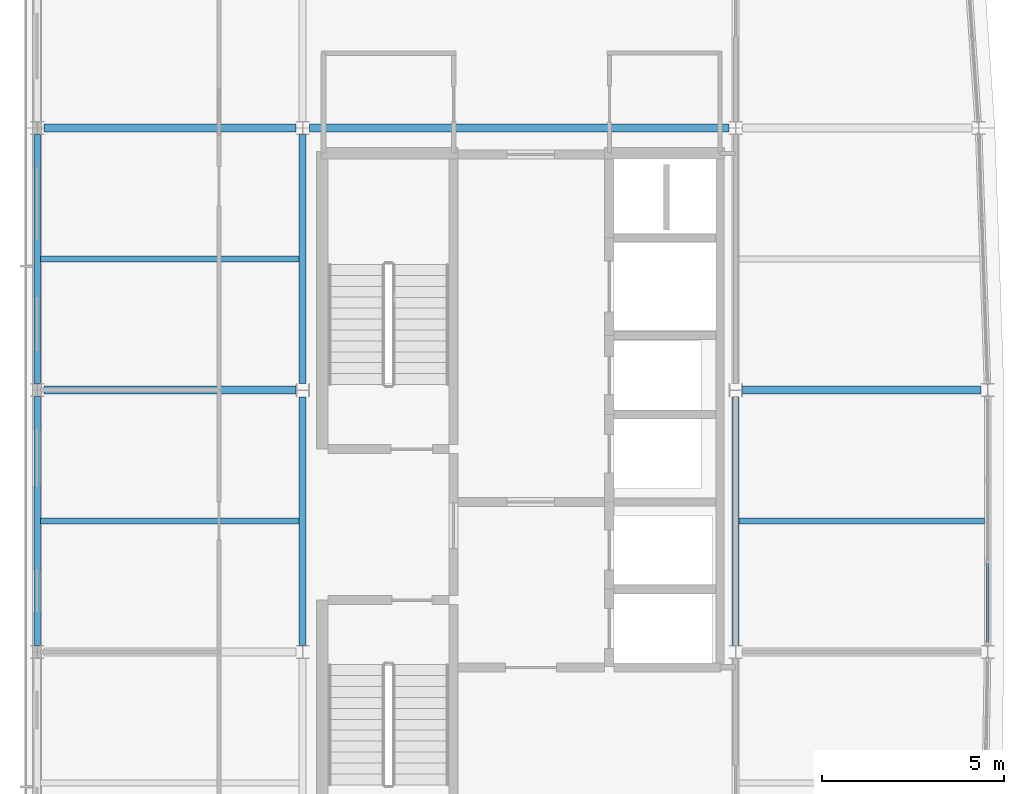
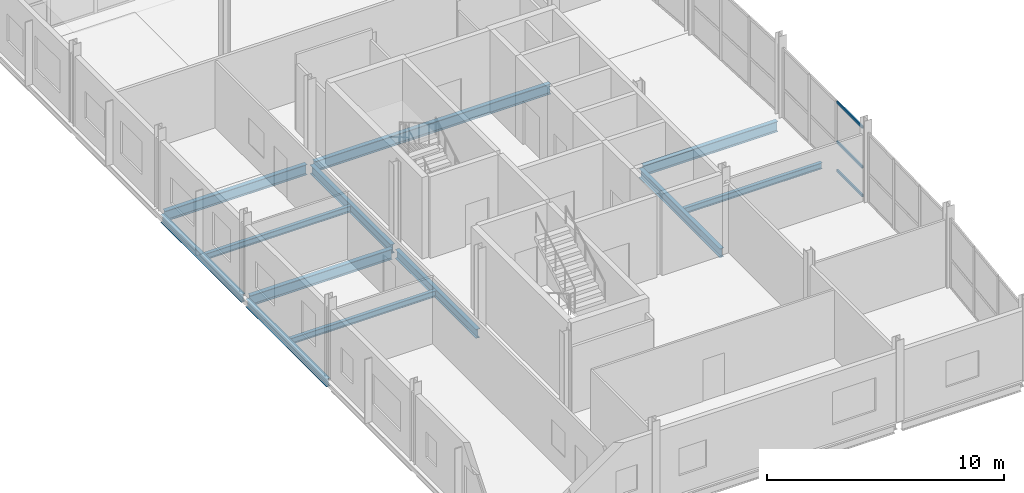
# One storey, part 3 of 16: 12 beams, 3 members, 1 element without a shape of its own.
"""IFC4 building model written with IfcOpenShell, lengths in metres."""

import ifcopenshell
import ifcopenshell.guid

model = None  # the IFC model being written
_history = None  # IfcOwnerHistory: only IFC2X3 demands one
_inside = {}  # id of a spatial element -> (the spatial element, [elements in it])
_under = {}  # id of a project, library or spatial element -> (it, [spatial elements below it])
_declared = {}  # id of a project -> (the project, [libraries it declares])
_typed = {}  # id of a type object -> (the type object, [elements of that type])
_made_of = {}  # id of a material, layer set ... -> (it, [elements and type objects made of it])


def new_model(schema):
    """Start an empty IFC model of exactly this schema.

    Asked for "IFC4X3", IfcOpenShell would pick the latest addendum, in which some entities
    have other attributes; the version numbers below select the first issue.
    IFC2X3 requires an IfcOwnerHistory on every rooted entity: one is made here for all.
    """
    global model, _history
    if schema == "IFC4X3":
        model = ifcopenshell.file(schema_version=(4, 3, 0, 0))
    else:
        model = ifcopenshell.file(schema=schema)
    _inside.clear()
    _under.clear()
    _declared.clear()
    _typed.clear()
    _made_of.clear()
    _history = None
    if model.schema == "IFC2X3":
        org = make("IfcOrganization", Name="unknown")
        user = make(
            "IfcPersonAndOrganization",
            ThePerson=make("IfcPerson", FamilyName="unknown"),
            TheOrganization=org,
        )
        app = make(
            "IfcApplication",
            ApplicationDeveloper=org,
            Version="unknown",
            ApplicationFullName="unknown",
            ApplicationIdentifier="unknown",
        )
        _history = make(
            "IfcOwnerHistory",
            OwningUser=user,
            OwningApplication=app,
            ChangeAction="ADDED",
            CreationDate=0,
        )
    return model


def make(cls, **values):
    """One entity of the class cls with the attributes given. An attribute that is None is left unset."""
    return model.create_entity(
        cls, **{name: value for name, value in values.items() if value is not None}
    )


def rooted(cls, **values):
    """An entity with a GlobalId (a new one), such as an element, a storey or a relation."""
    return make(cls, GlobalId=ifcopenshell.guid.new(), OwnerHistory=_history, **values)


def si_unit(unit_type, name, prefix=None):
    """IfcSIUnit, for example si_unit("LENGTHUNIT", "METRE", prefix="MILLI")."""
    return make("IfcSIUnit", UnitType=unit_type, Prefix=prefix, Name=name)


def assignment(units):
    """IfcUnitAssignment: the units of a project."""
    return None if units is None else make("IfcUnitAssignment", Units=units)


def point(xyz):
    """IfcCartesianPoint."""
    return None if xyz is None else make("IfcCartesianPoint", Coordinates=xyz)


def direction(xyz):
    """IfcDirection."""
    return None if xyz is None else make("IfcDirection", DirectionRatios=xyz)


def frame(location, z_axis=None, x_axis=None):
    """IfcAxis2Placement3D, a coordinate frame: its origin and axes. An axis left out is left unset."""
    return make(
        "IfcAxis2Placement3D",
        Location=point(location),
        Axis=direction(z_axis),
        RefDirection=direction(x_axis),
    )


def frame_2d(location, x_axis=None):
    """IfcAxis2Placement2D, a coordinate frame in the plane: its origin and x axis."""
    return make(
        "IfcAxis2Placement2D", Location=point(location), RefDirection=direction(x_axis)
    )


def origin():
    """The frame at (0, 0, 0) with its axes left unset."""
    return frame((0.0, 0.0, 0.0))


def origin_2d():
    """The frame at (0, 0) in the plane with its x axis left unset."""
    return frame_2d((0.0, 0.0))


def place(relative_to, where):
    """IfcLocalPlacement: puts the frame where relative to a parent placement (None: the world)."""
    return make(
        "IfcLocalPlacement", PlacementRelTo=relative_to, RelativePlacement=where
    )


def context(
    kind, dimensions, precision=None, world=None, true_north=None, identifier=None
):
    """IfcGeometricRepresentationContext, for example the 3D "Model" context."""
    return make(
        "IfcGeometricRepresentationContext",
        ContextIdentifier=identifier,
        ContextType=kind,
        CoordinateSpaceDimension=dimensions,
        Precision=precision,
        WorldCoordinateSystem=world,
        TrueNorth=true_north,
    )


def subcontext(parent, identifier, kind, view, scale=None):
    """IfcGeometricRepresentationSubContext, for example "Body" below "Model"."""
    return make(
        "IfcGeometricRepresentationSubContext",
        ContextIdentifier=identifier,
        ContextType=kind,
        ParentContext=parent,
        TargetScale=scale,
        TargetView=view,
    )


def project(units=None, contexts=None):
    """IfcProject with its units and contexts."""
    return rooted(
        "IfcProject",
        Name="project",
        RepresentationContexts=contexts,
        UnitsInContext=assignment(units),
    )


def spatial(cls, under=None, at=None, **own):
    """A site, building, storey or space (cls), placed at a placement, below another one or the project."""
    s = rooted(cls, ObjectPlacement=at, **own)
    if under is not None:
        _under.setdefault(under.id(), (under, []))[1].append(s)
    return s


def profile(cls, at=None, kind="AREA", **sizes):
    """A parametric profile (cls). Its sizes go by their IFC names, for example OverallWidth=200.0."""
    return make(cls, ProfileType=kind, Position=at, **sizes)


def hollow_rectangle(**sizes):
    """IfcRectangleHollowProfileDef."""
    return profile("IfcRectangleHollowProfileDef", **sizes)


def i_section(**sizes):
    """IfcIShapeProfileDef."""
    return profile("IfcIShapeProfileDef", **sizes)


def extrude(swept, where, along, depth):
    """IfcExtrudedAreaSolid: the profile swept, set in the frame where, extruded along a direction by depth."""
    return make(
        "IfcExtrudedAreaSolid",
        SweptArea=swept,
        Position=where,
        ExtrudedDirection=direction(along),
        Depth=depth,
    )


def shape(context_of_items, identifier, shape_type, items):
    """IfcShapeRepresentation: the items that make up one representation, for example the "Body"."""
    return make(
        "IfcShapeRepresentation",
        ContextOfItems=context_of_items,
        RepresentationIdentifier=identifier,
        RepresentationType=shape_type,
        Items=items,
    )


def material(Name=None, Category=None):
    """IfcMaterial."""
    return make("IfcMaterial", Name=Name, Category=Category)


def layer(
    of_material, thickness, ventilated=None, Name=None, Category=None, Priority=None
):
    """IfcMaterialLayer: one layer of a wall or slab, of a material (None: an air gap)."""
    return make(
        "IfcMaterialLayer",
        Material=of_material,
        LayerThickness=thickness,
        IsVentilated=ventilated,
        Name=Name,
        Category=Category,
        Priority=Priority,
    )


def layer_set(layers, Name=None):
    """IfcMaterialLayerSet."""
    return make("IfcMaterialLayerSet", MaterialLayers=layers, LayerSetName=Name)


def material_profile(
    of_material, cross_section, Name=None, Category=None, Priority=None
):
    """IfcMaterialProfile: a cross section and its material."""
    return make(
        "IfcMaterialProfile",
        Name=Name,
        Material=of_material,
        Profile=cross_section,
        Priority=Priority,
        Category=Category,
    )


def profile_set(profiles, Name=None, composite=None):
    """IfcMaterialProfileSet."""
    return make(
        "IfcMaterialProfileSet",
        Name=Name,
        MaterialProfiles=profiles,
        CompositeProfile=composite,
    )


def made_of(thing, what):
    """Note that an element or type object is made of a material, layer set ...; save() writes the relation."""
    if what is not None:
        _made_of.setdefault(what.id(), (what, []))[1].append(thing)
    return thing


def type_object(cls, material=None, **own):
    """A type object (cls), such as IfcWallType, which elements share."""
    return made_of(rooted(cls, **own), material)


def element(
    cls,
    number,
    at=None,
    inside=None,
    cuts=None,
    type_object=None,
    material=None,
    context=None,
    identifier="Body",
    shape_type=None,
    held_by="IfcProductDefinitionShape",
    body=None,
    shapes=None,
    **own,
):
    """One element of the class cls, such as IfcWall. Its Tag is "e" and its number.

    at: its placement. inside: the storey or other place that contains it. cuts: it is an
    opening in that element (IfcRelVoidsElement). A single representation is given by context,
    identifier, shape_type and body (its items); several are given by shapes. held_by: the class
    of the entity that holds the representations. save() writes the other relations.
    """
    e = rooted(cls, Tag="e%d" % number, ObjectPlacement=at, **own)
    if body is not None:
        shapes = [shape(context, identifier, shape_type, body)]
    if shapes is not None:
        e.Representation = make(held_by, Representations=shapes)
    if inside is not None:
        _inside.setdefault(inside.id(), (inside, []))[1].append(e)
    if cuts is not None:
        rooted(
            "IfcRelVoidsElement", RelatingBuildingElement=cuts, RelatedOpeningElement=e
        )
    if type_object is not None:
        _typed.setdefault(type_object.id(), (type_object, []))[1].append(e)
    return made_of(e, material)


def aggregate(whole, parts):
    """IfcRelAggregates: a whole, such as a stair, and the parts it consists of."""
    return rooted("IfcRelAggregates", RelatingObject=whole, RelatedObjects=parts)


def save(model, path):
    """Write the relations noted so far, then the file.

    IfcRelAggregates (storeys below a building ...), IfcRelContainedInSpatialStructure (elements
    in a storey), IfcRelDefinesByType, IfcRelAssociatesMaterial and IfcRelDeclares: one each for
    every whole, place, type object, material and project.
    """
    for whole, parts in _under.values():
        aggregate(whole, parts)
    for where, things in _inside.values():
        rooted(
            "IfcRelContainedInSpatialStructure",
            RelatedElements=things,
            RelatingStructure=where,
        )
    for kind, things in _typed.values():
        rooted("IfcRelDefinesByType", RelatedObjects=things, RelatingType=kind)
    for what, things in _made_of.values():
        rooted("IfcRelAssociatesMaterial", RelatedObjects=things, RelatingMaterial=what)
    for by, libraries in _declared.values():
        rooted("IfcRelDeclares", RelatingContext=by, RelatedDefinitions=libraries)
    model.write(path)


model = new_model("IFC4")

# Units and contexts
model_context = context("Model", 3, precision=1e-05, world=origin(), true_north=direction((0.0, 1.0)))
body_context = subcontext(model_context, "Body", "Model", "MODEL_VIEW")
ifc_project = project(units=[si_unit("LENGTHUNIT", "METRE"), si_unit("AREAUNIT", "SQUARE_METRE"), si_unit("VOLUMEUNIT", "CUBIC_METRE"), si_unit("PLANEANGLEUNIT", "RADIAN"), si_unit("MASSUNIT", "GRAM", prefix="KILO")], contexts=[model_context])

# Site, building, storey
site_placement = place(None, origin())
site = spatial("IfcSite", under=ifc_project, at=site_placement, CompositionType="ELEMENT")
building_placement = place(site_placement, origin())
building = spatial("IfcBuilding", under=site, at=building_placement, Name="Quillay Park Conservatory", CompositionType="ELEMENT")
storey_placement = place(building_placement, frame((0.0, 0.0, 39.300048828125)))
storey = spatial("IfcBuildingStorey", under=building, at=storey_placement, Name="L09", CompositionType="ELEMENT", Elevation=39.300048828125)

# Beams
ifc_material_1 = material(Name="Steel ASTM A992 Grade 50", Category="steel")
ifc_material_profile_1 = material_profile(ifc_material_1, i_section(OverallWidth=0.166015625, OverallDepth=0.31298828125, WebThickness=0.006591796875, FlangeThickness=0.01123046875, FilletRadius=0.010009765625, at=origin_2d()), Name="W310x45")
ifc_profile_set_1 = profile_set([ifc_material_profile_1], Name="Steel ASTM A992 Grade 50")
beam_type_1 = type_object("IfcBeamType", Name="COMPOSITE FLOOR JOIST W310 X45", PredefinedType="JOIST", material=ifc_profile_set_1)
beam_1_placement = place(storey_placement, frame((0.639892578125, 88.800048828125, -0.3564453125), z_axis=(1.0, 0.0, 0.0), x_axis=(0.0, 1.0, 0.0)))
element("IfcBeam", 1, at=beam_1_placement, inside=storey, type_object=beam_type_1, Name="L09 beam BM-J-0688", PredefinedType="JOIST", context=body_context, shape_type="SweptSolid", body=[
    extrude(i_section(OverallWidth=0.166015625, OverallDepth=0.31298828125, WebThickness=0.006591796875, FlangeThickness=0.01123046875, FilletRadius=0.010009765625, at=origin_2d()), origin(), (0.0, 0.0, 1.0), 7.114013671875),
])
beam_2_placement = place(storey_placement, frame((19.845947265625, 88.800048828125, -0.3564453125), z_axis=(1.0, 0.0, 0.0), x_axis=(0.0, 1.0, 0.0)))
element("IfcBeam", 2, at=beam_2_placement, inside=storey, type_object=beam_type_1, Name="L09 beam BM-J-0689", PredefinedType="JOIST", context=body_context, shape_type="SweptSolid", body=[
    extrude(i_section(OverallWidth=0.166015625, OverallDepth=0.31298828125, WebThickness=0.006591796875, FlangeThickness=0.01123046875, FilletRadius=0.010009765625, at=origin_2d()), origin(), (0.0, 0.0, 1.0), 6.739013671875),
])
beam_3_placement = place(storey_placement, frame((0.639892578125, 96.0, -0.3564453125), z_axis=(1.0, 0.0, 0.0), x_axis=(0.0, 1.0, 0.0)))
element("IfcBeam", 3, at=beam_3_placement, inside=storey, type_object=beam_type_1, Name="L09 beam BM-J-0694", PredefinedType="JOIST", context=body_context, shape_type="SweptSolid", body=[
    extrude(i_section(OverallWidth=0.166015625, OverallDepth=0.31298828125, WebThickness=0.006591796875, FlangeThickness=0.01123046875, FilletRadius=0.010009765625, at=origin_2d()), origin(), (0.0, 0.0, 1.0), 7.114013671875),
])

# Curtain wall, members
ifc_material_2 = material(Name="Thermally Broken Anodised Aluminium 6063-T6", Category="aluminium")
ifc_layer = layer(ifc_material_2, 0.179931640625)
ifc_layer_set = layer_set([ifc_layer], Name="UNITISED CURTAIN WALL TOWER (Thermally Broken Anodised Aluminium 6063-T6)")
curtain_wall_type = type_object("IfcCurtainWallType", Name="UNITISED CURTAIN WALL TOWER", PredefinedType="USERDEFINED", material=ifc_layer_set)
curtain_wall_placement = place(storey_placement, origin())
curtain_wall = element("IfcCurtainWall", 4, at=curtain_wall_placement, inside=storey, type_object=curtain_wall_type, Name="L09 Unitised Curtain Wall 089", ObjectType="UNITISED CURTAIN WALL", PredefinedType="USERDEFINED")
ifc_material_3 = material(Name="Thermally Broken Anodised Aluminium 6063-T6", Category="aluminium")
ifc_material_profile_2 = material_profile(ifc_material_3, hollow_rectangle(XDim=0.070068359375, YDim=0.1298828125, WallThickness=0.003173828125, at=origin_2d()), Name="AL70x130x3.2")
ifc_profile_set_2 = profile_set([ifc_material_profile_2], Name="Thermally Broken Anodised Aluminium 6063-T6")
member_type = type_object("IfcMemberType", Name="CURTAIN WALL TRANSOM 70 X130", PredefinedType="USERDEFINED", material=ifc_profile_set_2)
member_1_placement = place(storey_placement, frame((26.675048828125, 87.631591796875, 0.034912109375), z_axis=(0.0, -1.0, 0.0), x_axis=(1.0, 0.0, 0.0)))
member_1 = element("IfcMember", 5, at=member_1_placement, type_object=member_type, Name="CW-T1 transom 3.1", ObjectType="TRANSOM", PredefinedType="USERDEFINED", context=body_context, shape_type="SweptSolid", body=[
    extrude(hollow_rectangle(XDim=0.070068359375, YDim=0.1298828125, WallThickness=0.003173828125, at=origin_2d()), origin(), (0.0, 0.0, 1.0), 2.16162109375),
])
member_2_placement = place(storey_placement, frame((26.675048828125, 87.631591796875, 1.511474609375), z_axis=(0.0, -1.0, 0.0), x_axis=(1.0, 0.0, 0.0)))
member_2 = element("IfcMember", 6, at=member_2_placement, type_object=member_type, Name="CW-T1 transom 3.2", ObjectType="TRANSOM", PredefinedType="USERDEFINED", context=body_context, shape_type="SweptSolid", body=[
    extrude(hollow_rectangle(XDim=0.070068359375, YDim=0.1298828125, WallThickness=0.003173828125, at=origin_2d()), origin(), (0.0, 0.0, 1.0), 2.16162109375),
])
member_3_placement = place(storey_placement, frame((26.675048828125, 87.631591796875, 3.56396484375), z_axis=(0.0, -1.0, 0.0), x_axis=(1.0, 0.0, 0.0)))
member_3 = element("IfcMember", 7, at=member_3_placement, type_object=member_type, Name="CW-T1 transom 3.3", ObjectType="TRANSOM", PredefinedType="USERDEFINED", context=body_context, shape_type="SweptSolid", body=[
    extrude(hollow_rectangle(XDim=0.070068359375, YDim=0.1298828125, WallThickness=0.003173828125, at=origin_2d()), origin(), (0.0, 0.0, 1.0), 2.16162109375),
])
aggregate(curtain_wall, [member_1, member_2, member_3])

# Beams
ifc_material_4 = material(Name="Steel ASTM A992 Grade 50", Category="steel")
ifc_material_profile_3 = material_profile(ifc_material_4, i_section(OverallWidth=0.179931640625, OverallDepth=0.4130859375, WebThickness=0.009765625, FlangeThickness=0.01611328125, FilletRadius=0.011962890625, at=origin_2d()), Name="W410x74")
ifc_profile_set_3 = profile_set([ifc_material_profile_3], Name="Steel ASTM A992 Grade 50")
beam_type_2 = type_object("IfcBeamType", Name="PERIMETER SPANDREL BEAM W410 X74", PredefinedType="SPANDREL", material=ifc_profile_set_3)
for number, where, z_axis, x_axis, name in (
    (8, (0.550048828125, 85.382080078125, -0.406494140625), (0.0, 1.0, 0.0), (-1.0, 0.0, 0.0), "L09 beam BM-SPW-0684"),
    (9, (0.550048828125, 92.58203125, -0.406494140625), (0.0, 1.0, 0.0), (-1.0, 0.0, 0.0), "L09 beam BM-SPW-0690"),
):
    element("IfcBeam", number, at=place(storey_placement, frame(where, z_axis=z_axis, x_axis=x_axis)), inside=storey, type_object=beam_type_2, Name=name, PredefinedType="SPANDREL", context=body_context, shape_type="SweptSolid", body=[
        extrude(i_section(OverallWidth=0.179931640625, OverallDepth=0.4130859375, WebThickness=0.009765625, FlangeThickness=0.01611328125, FilletRadius=0.011962890625, at=origin_2d()), origin(), (0.0, 0.0, 1.0), 6.8359375),
    ])
ifc_material_5 = material(Name="Steel ASTM A992 Grade 50", Category="steel")
ifc_material_profile_4 = material_profile(ifc_material_5, i_section(OverallWidth=0.19189453125, OverallDepth=0.462890625, WebThickness=0.010498046875, FlangeThickness=0.017578125, FilletRadius=0.012939453125, at=origin_2d()), Name="W460x89")
ifc_profile_set_4 = profile_set([ifc_material_profile_4], Name="Steel ASTM A992 Grade 50")
beam_type_3 = type_object("IfcBeamType", Name="PRIMARY FLOOR GIRDER W460 X89", PredefinedType="BEAM", material=ifc_profile_set_4)
for number, where, z_axis, x_axis, name in (
    (10, (7.85009765625, 85.382080078125, -0.431640625), (0.0, 1.0, 0.0), (-1.0, 0.0, 0.0), "L09 beam BM-GNS-0686"),
    (11, (19.75, 85.382080078125, -0.431640625), (0.0, 1.0, 0.0), (-1.0, 0.0, 0.0), "L09 beam BM-GNS-0687"),
    (12, (7.85009765625, 92.58544921875, -0.431640625), (0.0, 1.0, 0.0), (-1.0, 0.0, 0.0), "L09 beam BM-GNS-0692"),
):
    element("IfcBeam", number, at=place(storey_placement, frame(where, z_axis=z_axis, x_axis=x_axis)), inside=storey, type_object=beam_type_3, Name=name, PredefinedType="BEAM", context=body_context, shape_type="SweptSolid", body=[
        extrude(i_section(OverallWidth=0.19189453125, OverallDepth=0.462890625, WebThickness=0.010498046875, FlangeThickness=0.017578125, FilletRadius=0.012939453125, at=origin_2d()), origin(), (0.0, 0.0, 1.0), 6.83251953125),
    ])
ifc_material_6 = material(Name="Steel ASTM A992 Grade 50", Category="steel")
ifc_material_profile_5 = material_profile(ifc_material_6, i_section(OverallWidth=0.2109375, OverallDepth=0.5390625, WebThickness=0.01171875, FlangeThickness=0.018798828125, FilletRadius=0.013916015625, at=origin_2d()), Name="W530x109")
ifc_profile_set_5 = profile_set([ifc_material_profile_5], Name="Steel ASTM A992 Grade 50")
beam_type_4 = type_object("IfcBeamType", Name="PRIMARY FLOOR GIRDER W530 X109", PredefinedType="BEAM", material=ifc_profile_set_5)
beam_4_placement = place(storey_placement, frame((0.735595703125, 92.39990234375, -0.469482421875), z_axis=(1.0, 0.0, 0.0), x_axis=(0.0, 1.0, 0.0)))
element("IfcBeam", 13, at=beam_4_placement, inside=storey, type_object=beam_type_4, Name="L09 beam BM-G-0660", PredefinedType="BEAM", context=body_context, shape_type="SweptSolid", body=[
    extrude(i_section(OverallWidth=0.2109375, OverallDepth=0.5390625, WebThickness=0.01171875, FlangeThickness=0.018798828125, FilletRadius=0.013916015625, at=origin_2d()), origin(), (0.0, 0.0, 1.0), 6.932373046875),
])
beam_5_placement = place(storey_placement, frame((19.931884765625, 92.39990234375, -0.469482421875), z_axis=(1.0, 0.0, 0.0), x_axis=(0.0, 1.0, 0.0)))
element("IfcBeam", 14, at=beam_5_placement, inside=storey, type_object=beam_type_4, Name="L09 beam BM-G-0661", PredefinedType="BEAM", context=body_context, shape_type="SweptSolid", body=[
    extrude(i_section(OverallWidth=0.2109375, OverallDepth=0.5390625, WebThickness=0.01171875, FlangeThickness=0.018798828125, FilletRadius=0.013916015625, at=origin_2d()), origin(), (0.0, 0.0, 1.0), 6.5576171875),
])
beam_6_placement = place(storey_placement, frame((0.735595703125, 99.60009765625, -0.469482421875), z_axis=(1.0, 0.0, 0.0), x_axis=(0.0, 1.0, 0.0)))
element("IfcBeam", 15, at=beam_6_placement, inside=storey, type_object=beam_type_4, Name="L09 beam BM-G-0662", PredefinedType="BEAM", context=body_context, shape_type="SweptSolid", body=[
    extrude(i_section(OverallWidth=0.2109375, OverallDepth=0.5390625, WebThickness=0.01171875, FlangeThickness=0.018798828125, FilletRadius=0.013916015625, at=origin_2d()), origin(), (0.0, 0.0, 1.0), 6.928955078125),
])
beam_7_placement = place(storey_placement, frame((8.035400390625, 99.60009765625, -0.469482421875), z_axis=(1.0, 0.0, 0.0), x_axis=(0.0, 1.0, 0.0)))
element("IfcBeam", 16, at=beam_7_placement, inside=storey, type_object=beam_type_4, Name="L09 beam BM-G-0663", PredefinedType="BEAM", context=body_context, shape_type="SweptSolid", body=[
    extrude(i_section(OverallWidth=0.2109375, OverallDepth=0.5390625, WebThickness=0.01171875, FlangeThickness=0.018798828125, FilletRadius=0.013916015625, at=origin_2d()), origin(), (0.0, 0.0, 1.0), 11.529052734375),
])

save(model, "model.ifc")
